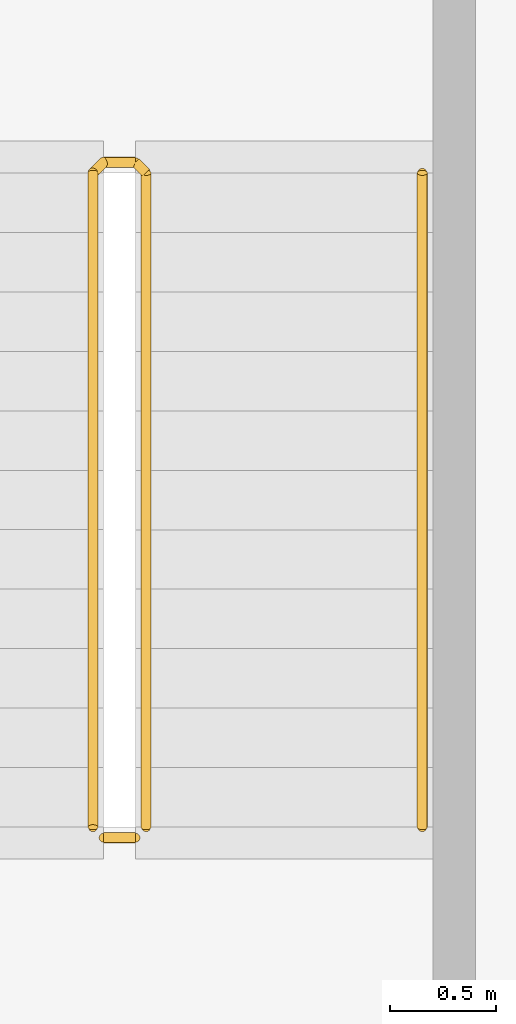
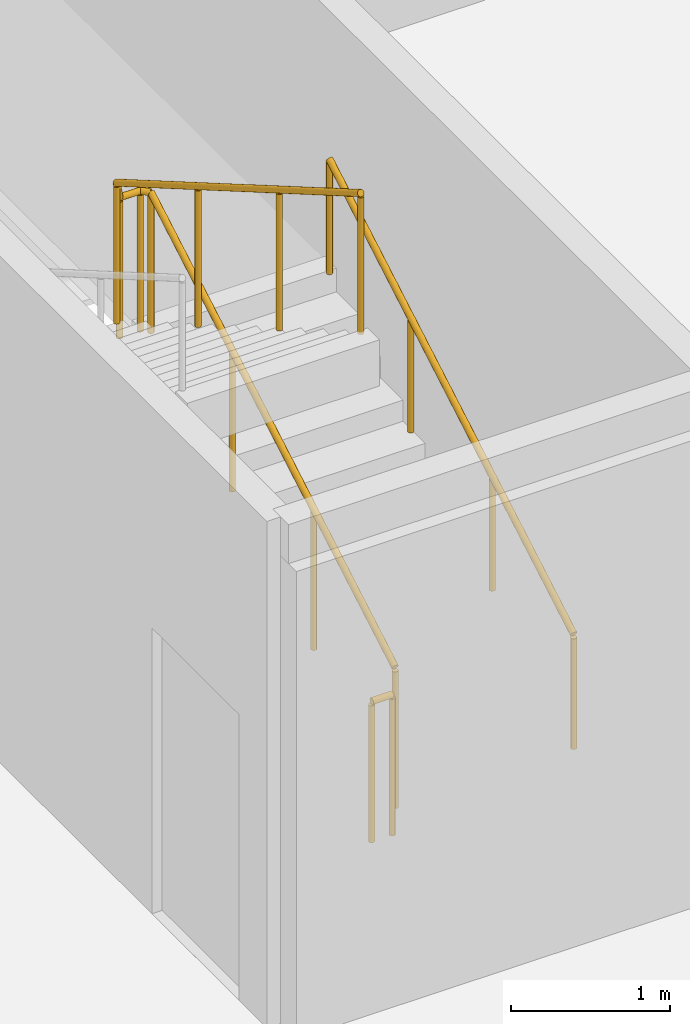
# One storey, part 22 of 23: 3 railings.
"""IFC4 building model written with IfcOpenShell, lengths in metres."""

from ifc_helpers import new_model, si_unit, direction, frame, origin, origin_2d, place, context, subcontext, project, spatial, circle, extrude, material, type_object, element, save


model = new_model("IFC4")

# Units and contexts
model_context = context("Model", 3, precision=1e-05, world=origin(), true_north=direction((0.0, 1.0)))
body_context = subcontext(model_context, "Body", "Model", "MODEL_VIEW")
ifc_project = project(units=[si_unit("LENGTHUNIT", "METRE"), si_unit("AREAUNIT", "SQUARE_METRE"), si_unit("VOLUMEUNIT", "CUBIC_METRE"), si_unit("PLANEANGLEUNIT", "RADIAN"), si_unit("MASSUNIT", "GRAM", prefix="KILO")], contexts=[model_context])

# Site, building, storey
site_placement = place(None, origin())
site = spatial("IfcSite", under=ifc_project, at=site_placement, CompositionType="ELEMENT")
building_placement = place(site_placement, origin())
building = spatial("IfcBuilding", under=site, at=building_placement, Name="Kheshtan School and Residences Tower", CompositionType="ELEMENT")
storey_placement = place(building_placement, frame((0.0, 0.0, 239.60009765625)))
storey = spatial("IfcBuildingStorey", under=building, at=storey_placement, Name="L56", CompositionType="ELEMENT", Elevation=239.60009765625)

# Railings
ifc_material_1 = material(Name="Stainless steel balustrade", Category="steel")
railing_type_1 = type_object("IfcRailingType", Name="Stair guard 1100", PredefinedType="GUARDRAIL", material=ifc_material_1)
railing_1_placement = place(storey_placement, frame((35.0, 80.89990234375, 0.162353515625)))
element("IfcRailing", 1, at=railing_1_placement, inside=storey, type_object=railing_type_1, Name="L56 ST3 stair guard 1", PredefinedType="GUARDRAIL", context=body_context, shape_type="SweptSolid", body=[
    extrude(circle(Radius=0.02392578125, at=origin_2d()), frame((0.0, 0.0, 1.076171875), z_axis=(0.0, 0.864890721111, 0.501960198159), x_axis=(-1.0, 0.0, 0.0)), (0.0, 0.0, 1.0), 3.561279296875),
    extrude(circle(Radius=0.02392578125, at=origin_2d()), frame((0.0, 3.080078125, 2.86376953125), z_axis=(-0.707106781187, 0.707106781187, 0.0), x_axis=(-0.707106781187, -0.707106781187, 0.0)), (0.0, 0.0, 1.0), 0.07080078125),
    extrude(circle(Radius=0.02392578125, at=origin_2d()), frame((-0.050048828125, 3.130126953125, 2.86376953125), z_axis=(-1.0, 0.0, 0.0), x_axis=(0.0, -1.0, 0.0)), (0.0, 0.0, 1.0), 0.14990234375),
    extrude(circle(Radius=0.02392578125, at=origin_2d()), frame((-0.199951171875, 3.130126953125, 2.86376953125), z_axis=(-0.282583949758, -0.282583949758, 0.916674763849), x_axis=(0.707106781187, -0.707106781187, 0.0)), (0.0, 0.0, 1.0), 0.177001953125),
    extrude(circle(Radius=0.02392578125, at=origin_2d()), frame((-0.25, 3.080078125, 3.02587890625), z_axis=(0.0, -0.864890721111, 0.501960198159), x_axis=(1.0, 0.0, 0.0)), (0.0, 0.0, 1.0), 3.561279296875),
    extrude(circle(Radius=0.02099609375, at=origin_2d()), origin(), (0.0, 0.0, 1.0), 1.052001953125),
    extrude(circle(Radius=0.02099609375, at=origin_2d()), frame((0.0, 1.026611328125, 0.595947265625)), (0.0, 0.0, 1.0), 1.052001953125),
    extrude(circle(Radius=0.02099609375, at=origin_2d()), frame((0.0, 2.053466796875, 1.191650390625)), (0.0, 0.0, 1.0), 1.052001953125),
    extrude(circle(Radius=0.02099609375, at=origin_2d()), frame((0.0, 3.080078125, 1.78759765625)), (0.0, 0.0, 1.0), 1.052001953125),
    extrude(circle(Radius=0.02099609375, at=origin_2d()), frame((-0.050048828125, 3.130126953125, 1.78759765625)), (0.0, 0.0, 1.0), 1.052001953125),
    extrude(circle(Radius=0.02099609375, at=origin_2d()), frame((-0.199951171875, 3.130126953125, 1.78759765625)), (0.0, 0.0, 1.0), 1.052001953125),
    extrude(circle(Radius=0.02099609375, at=origin_2d()), frame((-0.25, 3.080078125, 1.949951171875)), (0.0, 0.0, 1.0), 1.052001953125),
    extrude(circle(Radius=0.02099609375, at=origin_2d()), frame((-0.25, 2.053466796875, 2.5458984375)), (0.0, 0.0, 1.0), 1.052001953125),
    extrude(circle(Radius=0.02099609375, at=origin_2d()), frame((-0.25, 1.026611328125, 3.1416015625)), (0.0, 0.0, 1.0), 1.052001953125),
    extrude(circle(Radius=0.02099609375, at=origin_2d()), frame((-0.25, 0.0, 3.737548828125)), (0.0, 0.0, 1.0), 1.052001953125),
])
railing_2_placement = place(storey_placement, frame((34.949951171875, 80.85009765625, 0.0)))
element("IfcRailing", 2, at=railing_2_placement, inside=storey, type_object=railing_type_1, Name="L56 ST3 stair guard 2", PredefinedType="GUARDRAIL", context=body_context, shape_type="SweptSolid", body=[
    extrude(circle(Radius=0.02392578125, at=origin_2d()), frame((0.0, 0.0, 1.076171875), z_axis=(-1.0, 0.0, 0.0), x_axis=(0.0, -1.0, 0.0)), (0.0, 0.0, 1.0), 0.14990234375),
    extrude(circle(Radius=0.02099609375, at=origin_2d()), origin(), (0.0, 0.0, 1.0), 1.052001953125),
    extrude(circle(Radius=0.02099609375, at=origin_2d()), frame((-0.14990234375, 0.0, 0.0)), (0.0, 0.0, 1.0), 1.052001953125),
])
ifc_material_2 = material(Name="Stainless steel handrail", Category="steel")
railing_type_2 = type_object("IfcRailingType", Name="Stair handrail 900", PredefinedType="HANDRAIL", material=ifc_material_2)
railing_3_placement = place(storey_placement, frame((36.300048828125, 80.89990234375, 0.162353515625)))
element("IfcRailing", 3, at=railing_3_placement, inside=storey, type_object=railing_type_2, Name="L56 ST3 stair handrail 1", PredefinedType="HANDRAIL", context=body_context, shape_type="SweptSolid", body=[
    extrude(circle(Radius=0.02392578125, at=origin_2d()), frame((0.0, 0.0, 0.8759765625), z_axis=(0.0, 0.864890721111, 0.501960198159), x_axis=(-1.0, 0.0, 0.0)), (0.0, 0.0, 1.0), 3.561279296875),
    extrude(circle(Radius=0.02099609375, at=origin_2d()), origin(), (0.0, 0.0, 1.0), 0.851806640625),
    extrude(circle(Radius=0.02099609375, at=origin_2d()), frame((0.0, 1.026611328125, 0.595947265625)), (0.0, 0.0, 1.0), 0.851806640625),
    extrude(circle(Radius=0.02099609375, at=origin_2d()), frame((0.0, 2.053466796875, 1.191650390625)), (0.0, 0.0, 1.0), 0.851806640625),
    extrude(circle(Radius=0.02099609375, at=origin_2d()), frame((0.0, 3.080078125, 1.78759765625)), (0.0, 0.0, 1.0), 0.851806640625),
])

save(model, "model.ifc")
